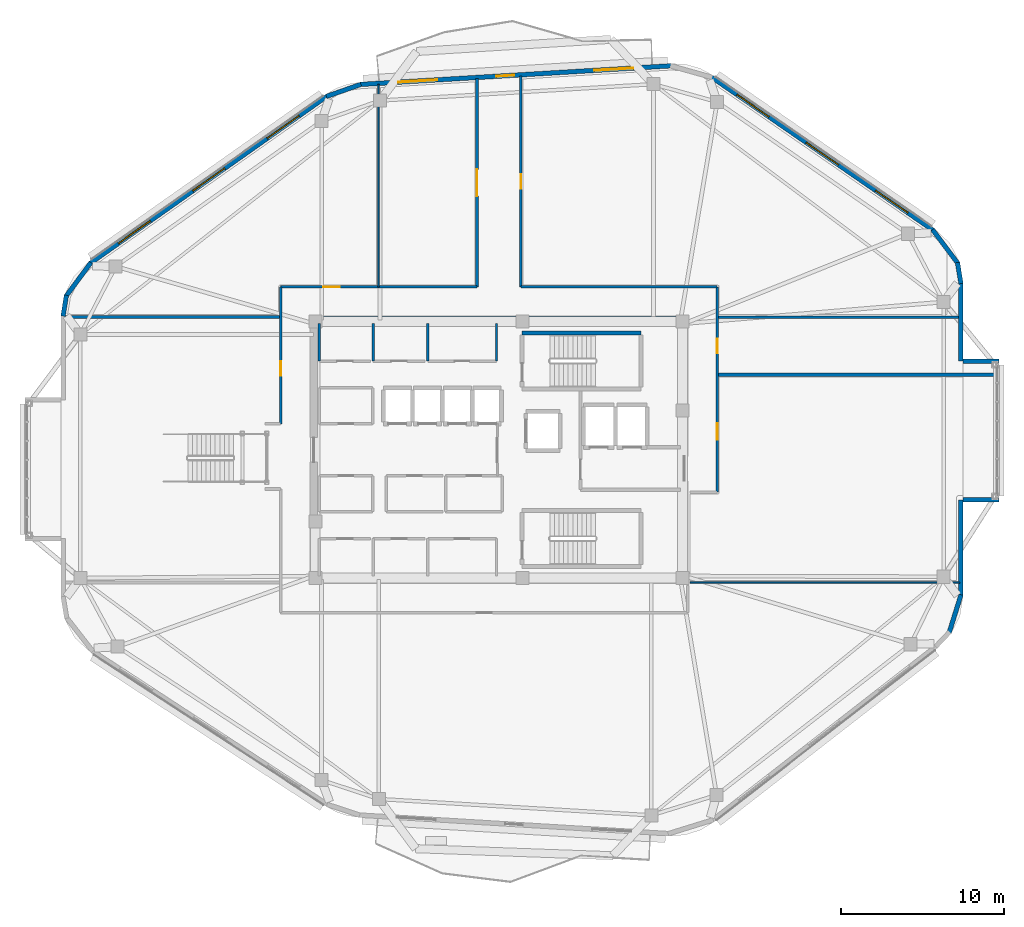
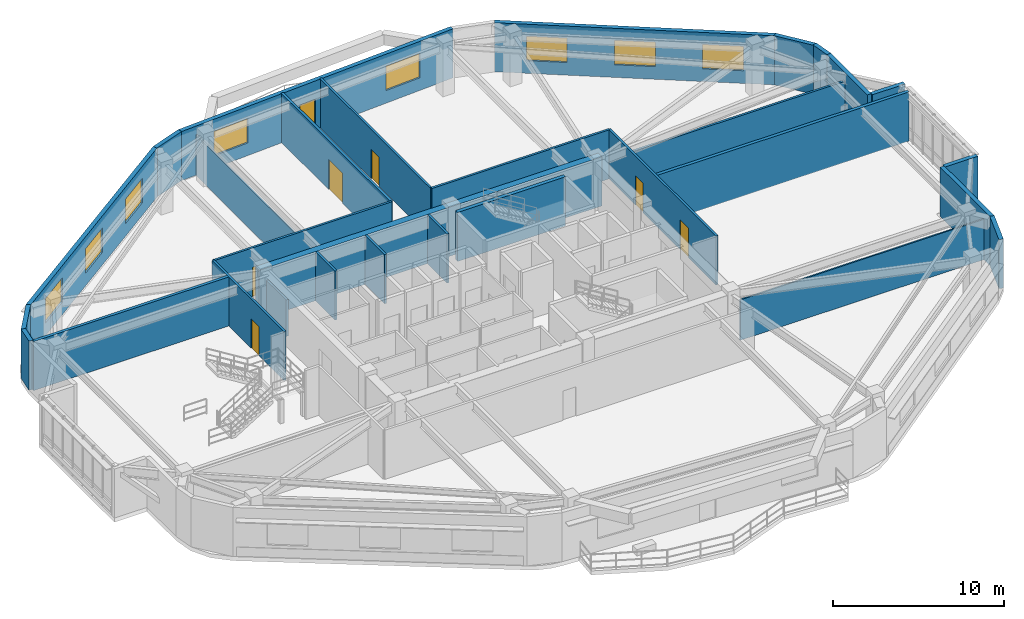
# One storey, part 14 of 18: 30 walls, 8 windows, 7 doors, 15 openings.
"""IFC4 building model written with IfcOpenShell, lengths in metres."""

from ifc_helpers import new_model, si_unit, direction, frame, frame_2d, origin, place, context, subcontext, project, spatial, rectangle, extrude, material, layer, layer_set, type_object, element, fill, save


model = new_model("IFC4")

# Units and contexts
model_context = context("Model", 3, precision=1e-05, world=origin(), true_north=direction((0.0, 1.0)))
body_context = subcontext(model_context, "Body", "Model", "MODEL_VIEW")
ifc_project = project(units=[si_unit("LENGTHUNIT", "METRE"), si_unit("AREAUNIT", "SQUARE_METRE"), si_unit("VOLUMEUNIT", "CUBIC_METRE"), si_unit("PLANEANGLEUNIT", "RADIAN"), si_unit("MASSUNIT", "GRAM", prefix="KILO")], contexts=[model_context])

# Site, building, storey
site_placement = place(None, origin())
site = spatial("IfcSite", under=ifc_project, at=site_placement, CompositionType="ELEMENT")
building_placement = place(site_placement, origin())
building = spatial("IfcBuilding", under=site, at=building_placement, Name="Zulverin Broadcast Headquarters", CompositionType="ELEMENT")
storey_placement = place(building_placement, frame((0.0, 0.0, 225.0)))
storey = spatial("IfcBuildingStorey", under=building, at=storey_placement, Name="L57", CompositionType="ELEMENT", Elevation=225.0)

# Walls
ifc_material_1 = material(Name="Acoustic drywall steel stud", Category="steel")
ifc_layer_1 = layer(ifc_material_1, 0.199951171875, Name="Acoustic drywall steel stud", Category="steel")
ifc_layer_set_1 = layer_set([ifc_layer_1], Name="Acoustic drywall steel stud")
wall_type_1 = type_object("IfcWallType", Name="WL-ACOU-200", PredefinedType="PARTITIONING", material=ifc_layer_set_1)
wall_1_placement = place(storey_placement, frame((10.304931640625, 33.35009765625, 0.0), z_axis=(0.0, 0.0, 1.0), x_axis=(1.0, 0.0, 0.0)))
element("IfcWall", 1, at=wall_1_placement, inside=storey, type_object=wall_type_1, Name="L57 Room Partition Wall RP-15", PredefinedType="PARTITIONING", context=body_context, shape_type="SweptSolid", body=[
    extrude(rectangle(XDim=13.295166015625, YDim=0.199951171875, at=frame_2d((6.6474609375, 0.0))), origin(), (0.0, 0.0, 1.0), 3.510009765625),
])
ifc_material_2 = material(Name="Double-stud acoustic drywall", Category="gypsum")
ifc_layer_2 = layer(ifc_material_2, 0.219970703125, Name="Double-stud acoustic drywall", Category="gypsum")
ifc_layer_set_2 = layer_set([ifc_layer_2], Name="Double-stud acoustic drywall")
wall_type_2 = type_object("IfcWallType", Name="WL-ACOU-220", PredefinedType="PARTITIONING", material=ifc_layer_set_2)
wall_2_placement = place(storey_placement, frame((50.39990234375, 29.800048828125, 0.0), z_axis=(0.0, 0.0, 1.0), x_axis=(1.0, 0.0, 0.0)))
element("IfcWall", 2, at=wall_2_placement, inside=storey, type_object=wall_type_2, Name="L57 Room Partition Wall RP-14", PredefinedType="PARTITIONING", context=body_context, shape_type="SweptSolid", body=[
    extrude(rectangle(XDim=17.09521484375, YDim=0.219970703125, at=frame_2d((8.547607421875, 0.0))), origin(), (0.0, 0.0, 1.0), 3.510009765625),
])
ifc_material_3 = material(Name="Concrete C50/60", Category="concrete")
ifc_layer_3 = layer(ifc_material_3, 0.449951171875, Name="Concrete C50/60", Category="concrete")
ifc_layer_set_3 = layer_set([ifc_layer_3], Name="Concrete C50/60")
wall_type_3 = type_object("IfcWallType", Name="WL-CORE-450", PredefinedType="SHEAR", material=ifc_layer_set_3)
wall_3_placement = place(storey_placement, frame((25.39990234375, 33.175048828125, 0.0), z_axis=(0.0, 0.0, 1.0), x_axis=(1.0, 0.0, 0.0)))
element("IfcWall", 3, at=wall_3_placement, inside=storey, type_object=wall_type_3, Name="L57 Core North Shear Wall", PredefinedType="SHEAR", context=body_context, shape_type="SweptSolid", body=[
    extrude(rectangle(XDim=23.2001953125, YDim=0.449951171875, at=frame_2d((11.60009765625, 0.0))), origin(), (0.0, 0.0, 1.0), 3.510009765625),
])
ifc_material_4 = material(Name="Insulated pale-metal clad concrete spandrel C40/50", Category="concrete")
ifc_layer_4 = layer(ifc_material_4, 0.280029296875, Name="Insulated pale-metal clad concrete spandrel C40/50", Category="concrete")
ifc_layer_set_4 = layer_set([ifc_layer_4], Name="Insulated pale-metal clad concrete spandrel C40/50")
wall_type_4 = type_object("IfcWallType", Name="WL-EXT-280", PredefinedType="STANDARD", material=ifc_layer_set_4)
wall_4_placement = place(storey_placement, frame((65.360107421875, 16.2578125, 0.0), z_axis=(0.0, 0.0, 1.0), x_axis=(0.0, 1.0, 0.0)))
element("IfcWall", 4, at=wall_4_placement, inside=storey, type_object=wall_type_4, Name="L57 Pale-Metal Clad Flanking Spandrel Wall 3-1", PredefinedType="STANDARD", context=body_context, shape_type="SweptSolid", body=[
    extrude(rectangle(XDim=5.8720703125, YDim=0.280029296875, at=frame_2d((2.93603515625, 0.0))), origin(), (0.0, 0.0, 1.0), 3.510009765625),
])
wall_5_placement = place(storey_placement, frame((65.360107421875, 30.64990234375, 0.0), z_axis=(0.0, 0.0, 1.0), x_axis=(0.0, 1.0, 0.0)))
element("IfcWall", 5, at=wall_5_placement, inside=storey, type_object=wall_type_4, Name="L57 Pale-Metal Clad Flanking Spandrel Wall 3-2", PredefinedType="STANDARD", context=body_context, shape_type="SweptSolid", body=[
    extrude(rectangle(XDim=4.77587890625, YDim=0.280029296875, at=frame_2d((2.387939453125, 0.0))), origin(), (0.0, 0.0, 1.0), 3.510009765625),
])

# Wall, openings, windows
wall_6_placement = place(storey_placement, frame((63.6513671875, 38.683349609375, 0.0), z_axis=(0.0, 0.0, 1.0), x_axis=(-0.822655095, 0.568540759022, 0.0)))
wall_6 = element("IfcWall", 6, at=wall_6_placement, inside=storey, type_object=wall_type_4, Name="L57 Pale-Metal Clad Spandrel Wall 4", PredefinedType="STANDARD", context=body_context, shape_type="SweptSolid", body=[
    extrude(rectangle(XDim=16.52783203125, YDim=0.280029296875, at=frame_2d((8.263916015625, 0.0))), origin(), (0.0, 0.0, 1.0), 3.510009765625),
])
opening_1_placement = place(wall_6_placement, frame((1.887939453125, 0.0, 0.89990234375)))
opening_1 = element("IfcOpeningElement", 7, at=opening_1_placement, cuts=wall_6, Name="Opening W-L57-E41", PredefinedType="OPENING", context=body_context, shape_type="SweptSolid", body=[
    extrude(rectangle(XDim=2.39990234375, YDim=1.75, at=frame_2d((1.199951171875, 0.875))), frame((0.0, 0.14990234375, 0.0), z_axis=(0.0, -1.0, 0.0), x_axis=(1.0, 0.0, 0.0)), (0.0, 0.0, 1.0), 0.300048828125),
])
opening_2_placement = place(wall_6_placement, frame((7.06396484375, 0.0, 0.89990234375)))
opening_2 = element("IfcOpeningElement", 8, at=opening_2_placement, cuts=wall_6, Name="Opening W-L57-E42", PredefinedType="OPENING", context=body_context, shape_type="SweptSolid", body=[
    extrude(rectangle(XDim=2.39990234375, YDim=1.75, at=frame_2d((1.199951171875, 0.875))), frame((0.0, 0.14990234375, 0.0), z_axis=(0.0, -1.0, 0.0), x_axis=(1.0, 0.0, 0.0)), (0.0, 0.0, 1.0), 0.300048828125),
])
opening_3_placement = place(wall_6_placement, frame((12.239990234375, 0.0, 0.89990234375)))
opening_3 = element("IfcOpeningElement", 9, at=opening_3_placement, cuts=wall_6, Name="Opening W-L57-E43", PredefinedType="OPENING", context=body_context, shape_type="SweptSolid", body=[
    extrude(rectangle(XDim=2.39990234375, YDim=1.75, at=frame_2d((1.199951171875, 0.875))), frame((0.0, 0.14990234375, 0.0), z_axis=(0.0, -1.0, 0.0), x_axis=(1.0, 0.0, 0.0)), (0.0, 0.0, 1.0), 0.300048828125),
])
ifc_material_5 = material(Name="Pale anodized aluminium frame with solar-control low-E double glazing", Category="aluminium")
window_type = type_object("IfcWindowType", Name="WIN-RIB-2400", PartitioningType="SINGLE_PANEL", PredefinedType="WINDOW", material=ifc_material_5)
window_1_placement = place(opening_1_placement, origin())
window_1 = element("IfcWindow", 10, at=window_1_placement, inside=storey, type_object=window_type, Name="L57 Ribbon Glazing Window 4 1", OverallHeight=1.75, OverallWidth=2.39990234375, PartitioningType="SINGLE_PANEL", PredefinedType="WINDOW", context=body_context, shape_type="SweptSolid", body=[
    extrude(rectangle(XDim=2.39990234375, YDim=1.75, at=frame_2d((1.199951171875, 0.875))), frame((0.0, 0.030029296875, 0.0), z_axis=(0.0, -1.0, 0.0), x_axis=(1.0, 0.0, 0.0)), (0.0, 0.0, 1.0), 0.06005859375),
])
fill(opening_1, window_1)
window_2_placement = place(opening_2_placement, origin())
window_2 = element("IfcWindow", 11, at=window_2_placement, inside=storey, type_object=window_type, Name="L57 Ribbon Glazing Window 4 2", OverallHeight=1.75, OverallWidth=2.39990234375, PartitioningType="SINGLE_PANEL", PredefinedType="WINDOW", context=body_context, shape_type="SweptSolid", body=[
    extrude(rectangle(XDim=2.39990234375, YDim=1.75, at=frame_2d((1.199951171875, 0.875))), frame((0.0, 0.030029296875, 0.0), z_axis=(0.0, -1.0, 0.0), x_axis=(1.0, 0.0, 0.0)), (0.0, 0.0, 1.0), 0.06005859375),
])
fill(opening_2, window_2)
window_3_placement = place(opening_3_placement, origin())
window_3 = element("IfcWindow", 12, at=window_3_placement, inside=storey, type_object=window_type, Name="L57 Ribbon Glazing Window 4 3", OverallHeight=1.75, OverallWidth=2.39990234375, PartitioningType="SINGLE_PANEL", PredefinedType="WINDOW", context=body_context, shape_type="SweptSolid", body=[
    extrude(rectangle(XDim=2.39990234375, YDim=1.75, at=frame_2d((1.199951171875, 0.875))), frame((0.0, 0.030029296875, 0.0), z_axis=(0.0, -1.0, 0.0), x_axis=(1.0, 0.0, 0.0)), (0.0, 0.0, 1.0), 0.06005859375),
])
fill(opening_3, window_3)

# Wall, openings, door, windows
wall_7_placement = place(storey_placement, frame((47.56591796875, 48.775390625, 0.0), z_axis=(0.0, 0.0, 1.0), x_axis=(-0.998202767485, -0.059926913695, 0.0)))
wall_7 = element("IfcWall", 13, at=wall_7_placement, inside=storey, type_object=wall_type_4, Name="L57 Pale-Metal Clad Spandrel Wall 5", PredefinedType="STANDARD", context=body_context, shape_type="SweptSolid", body=[
    extrude(rectangle(XDim=19.111083984375, YDim=0.280029296875, at=frame_2d((9.5556640625, 0.0))), origin(), (0.0, 0.0, 1.0), 3.510009765625),
])
opening_4_placement = place(wall_7_placement, frame((9.655517578125, 0.0, 0.0)))
opening_4 = element("IfcOpeningElement", 14, at=opening_4_placement, cuts=wall_7, Name="Opening D-L57-TR5", PredefinedType="OPENING", context=body_context, shape_type="SweptSolid", body=[
    extrude(rectangle(XDim=1.10009765625, YDim=2.199951171875, at=frame_2d((0.550048828125, 1.10009765625))), frame((0.0, 0.14990234375, 0.0), z_axis=(0.0, -1.0, 0.0), x_axis=(1.0, 0.0, 0.0)), (0.0, 0.0, 1.0), 0.300048828125),
])
opening_5_placement = place(wall_7_placement, frame((2.318603515625, 0.0, 0.89990234375)))
opening_5 = element("IfcOpeningElement", 15, at=opening_5_placement, cuts=wall_7, Name="Opening W-L57-E51", PredefinedType="OPENING", context=body_context, shape_type="SweptSolid", body=[
    extrude(rectangle(XDim=2.39990234375, YDim=1.75, at=frame_2d((1.199951171875, 0.875))), frame((0.0, 0.14990234375, 0.0), z_axis=(0.0, -1.0, 0.0), x_axis=(1.0, 0.0, 0.0)), (0.0, 0.0, 1.0), 0.300048828125),
])
opening_6_placement = place(wall_7_placement, frame((14.392333984375, 0.0, 0.89990234375)))
opening_6 = element("IfcOpeningElement", 16, at=opening_6_placement, cuts=wall_7, Name="Opening W-L57-E52", PredefinedType="OPENING", context=body_context, shape_type="SweptSolid", body=[
    extrude(rectangle(XDim=2.39990234375, YDim=1.75, at=frame_2d((1.199951171875, 0.875))), frame((0.0, 0.14990234375, 0.0), z_axis=(0.0, -1.0, 0.0), x_axis=(1.0, 0.0, 0.0)), (0.0, 0.0, 1.0), 0.300048828125),
])
ifc_material_6 = material(Name="Thermally broken aluminium glazed", Category="aluminium")
door_type_1 = type_object("IfcDoorType", Name="DR-TERR-1100", OperationType="SINGLE_SWING_RIGHT", PredefinedType="DOOR", material=ifc_material_6)
door_1_placement = place(opening_4_placement, origin())
door_1 = element("IfcDoor", 17, at=door_1_placement, inside=storey, type_object=door_type_1, Name="L57 Planted Terrace Glazed Access Door 5", OperationType="SINGLE_SWING_RIGHT", OverallHeight=2.199951171875, OverallWidth=1.10009765625, PredefinedType="DOOR", context=body_context, shape_type="SweptSolid", body=[
    extrude(rectangle(XDim=1.10009765625, YDim=2.199951171875, at=frame_2d((0.550048828125, 1.10009765625))), frame((0.0, 0.02490234375, 0.0), z_axis=(0.0, -1.0, 0.0), x_axis=(1.0, 0.0, 0.0)), (0.0, 0.0, 1.0), 0.050048828125),
])
fill(opening_4, door_1)
window_4_placement = place(opening_5_placement, origin())
window_4 = element("IfcWindow", 18, at=window_4_placement, inside=storey, type_object=window_type, Name="L57 Ribbon Glazing Window 5 1", OverallHeight=1.75, OverallWidth=2.39990234375, PartitioningType="SINGLE_PANEL", PredefinedType="WINDOW", context=body_context, shape_type="SweptSolid", body=[
    extrude(rectangle(XDim=2.39990234375, YDim=1.75, at=frame_2d((1.199951171875, 0.875))), frame((0.0, 0.030029296875, 0.0), z_axis=(0.0, -1.0, 0.0), x_axis=(1.0, 0.0, 0.0)), (0.0, 0.0, 1.0), 0.06005859375),
])
fill(opening_5, window_4)
window_5_placement = place(opening_6_placement, origin())
window_5 = element("IfcWindow", 19, at=window_5_placement, inside=storey, type_object=window_type, Name="L57 Ribbon Glazing Window 5 2", OverallHeight=1.75, OverallWidth=2.39990234375, PartitioningType="SINGLE_PANEL", PredefinedType="WINDOW", context=body_context, shape_type="SweptSolid", body=[
    extrude(rectangle(XDim=2.39990234375, YDim=1.75, at=frame_2d((1.199951171875, 0.875))), frame((0.0, 0.030029296875, 0.0), z_axis=(0.0, -1.0, 0.0), x_axis=(1.0, 0.0, 0.0)), (0.0, 0.0, 1.0), 0.06005859375),
])
fill(opening_6, window_5)

# Wall, openings, windows
wall_8_placement = place(storey_placement, frame((26.443115234375, 46.91259765625, 0.0), z_axis=(0.0, 0.0, 1.0), x_axis=(-0.817024179766, -0.576603407619, 0.0)))
wall_8 = element("IfcWall", 20, at=wall_8_placement, inside=storey, type_object=wall_type_4, Name="L57 Pale-Metal Clad Spandrel Wall 6", PredefinedType="STANDARD", context=body_context, shape_type="SweptSolid", body=[
    extrude(rectangle(XDim=17.77978515625, YDim=0.280029296875, at=frame_2d((8.889892578125, 0.0))), origin(), (0.0, 0.0, 1.0), 3.510009765625),
])
opening_7_placement = place(wall_8_placement, frame((2.0966796875, 0.0, 0.89990234375)))
opening_7 = element("IfcOpeningElement", 21, at=opening_7_placement, cuts=wall_8, Name="Opening W-L57-E61", PredefinedType="OPENING", context=body_context, shape_type="SweptSolid", body=[
    extrude(rectangle(XDim=2.39990234375, YDim=1.75, at=frame_2d((1.199951171875, 0.875))), frame((0.0, 0.14990234375, 0.0), z_axis=(0.0, -1.0, 0.0), x_axis=(1.0, 0.0, 0.0)), (0.0, 0.0, 1.0), 0.300048828125),
])
opening_8_placement = place(wall_8_placement, frame((7.68994140625, 0.0, 0.89990234375)))
opening_8 = element("IfcOpeningElement", 22, at=opening_8_placement, cuts=wall_8, Name="Opening W-L57-E62", PredefinedType="OPENING", context=body_context, shape_type="SweptSolid", body=[
    extrude(rectangle(XDim=2.39990234375, YDim=1.75, at=frame_2d((1.199951171875, 0.875))), frame((0.0, 0.14990234375, 0.0), z_axis=(0.0, -1.0, 0.0), x_axis=(1.0, 0.0, 0.0)), (0.0, 0.0, 1.0), 0.300048828125),
])
opening_9_placement = place(wall_8_placement, frame((13.283203125, 0.0, 0.89990234375)))
opening_9 = element("IfcOpeningElement", 23, at=opening_9_placement, cuts=wall_8, Name="Opening W-L57-E63", PredefinedType="OPENING", context=body_context, shape_type="SweptSolid", body=[
    extrude(rectangle(XDim=2.39990234375, YDim=1.75, at=frame_2d((1.199951171875, 0.875))), frame((0.0, 0.14990234375, 0.0), z_axis=(0.0, -1.0, 0.0), x_axis=(1.0, 0.0, 0.0)), (0.0, 0.0, 1.0), 0.300048828125),
])
window_6_placement = place(opening_7_placement, origin())
window_6 = element("IfcWindow", 24, at=window_6_placement, inside=storey, type_object=window_type, Name="L57 Ribbon Glazing Window 6 1", OverallHeight=1.75, OverallWidth=2.39990234375, PartitioningType="SINGLE_PANEL", PredefinedType="WINDOW", context=body_context, shape_type="SweptSolid", body=[
    extrude(rectangle(XDim=2.39990234375, YDim=1.75, at=frame_2d((1.199951171875, 0.875))), frame((0.0, 0.030029296875, 0.0), z_axis=(0.0, -1.0, 0.0), x_axis=(1.0, 0.0, 0.0)), (0.0, 0.0, 1.0), 0.06005859375),
])
fill(opening_7, window_6)
window_7_placement = place(opening_8_placement, origin())
window_7 = element("IfcWindow", 25, at=window_7_placement, inside=storey, type_object=window_type, Name="L57 Ribbon Glazing Window 6 2", OverallHeight=1.75, OverallWidth=2.39990234375, PartitioningType="SINGLE_PANEL", PredefinedType="WINDOW", context=body_context, shape_type="SweptSolid", body=[
    extrude(rectangle(XDim=2.39990234375, YDim=1.75, at=frame_2d((1.199951171875, 0.875))), frame((0.0, 0.030029296875, 0.0), z_axis=(0.0, -1.0, 0.0), x_axis=(1.0, 0.0, 0.0)), (0.0, 0.0, 1.0), 0.06005859375),
])
fill(opening_8, window_7)
window_8_placement = place(opening_9_placement, origin())
window_8 = element("IfcWindow", 26, at=window_8_placement, inside=storey, type_object=window_type, Name="L57 Ribbon Glazing Window 6 3", OverallHeight=1.75, OverallWidth=2.39990234375, PartitioningType="SINGLE_PANEL", PredefinedType="WINDOW", context=body_context, shape_type="SweptSolid", body=[
    extrude(rectangle(XDim=2.39990234375, YDim=1.75, at=frame_2d((1.199951171875, 0.875))), frame((0.0, 0.030029296875, 0.0), z_axis=(0.0, -1.0, 0.0), x_axis=(1.0, 0.0, 0.0)), (0.0, 0.0, 1.0), 0.06005859375),
])
fill(opening_9, window_8)

# Walls
wall_9_placement = place(storey_placement, frame((64.635009765625, 13.962158203125, 0.0), z_axis=(0.0, 0.0, 1.0), x_axis=(0.298649578722, 0.954362839348, 0.0)))
element("IfcWall", 27, at=wall_9_placement, inside=storey, type_object=wall_type_4, Name="L57 Wind-Shaped Corner Spandrel Wall 2-2", PredefinedType="STANDARD", context=body_context, shape_type="SweptSolid", body=[
    extrude(rectangle(XDim=2.44921875, YDim=0.280029296875, at=frame_2d((1.224609375, 0.0))), origin(), (0.0, 0.0, 1.0), 3.510009765625),
])
wall_10_placement = place(storey_placement, frame((65.36181640625, 35.4033203125, 0.0), z_axis=(0.0, 0.0, 1.0), x_axis=(-0.160271674114, 0.987072940809, 0.0)))
element("IfcWall", 28, at=wall_10_placement, inside=storey, type_object=wall_type_4, Name="L57 Wind-Shaped Corner Spandrel Wall 3-1", PredefinedType="STANDARD", context=body_context, shape_type="SweptSolid", body=[
    extrude(rectangle(XDim=1.314697265625, YDim=0.280029296875, at=frame_2d((0.6572265625, 0.0))), origin(), (0.0, 0.0, 1.0), 3.510009765625),
])
wall_11_placement = place(storey_placement, frame((65.17724609375, 36.63916015625, 0.0), z_axis=(0.0, 0.0, 1.0), x_axis=(-0.600436386467, 0.799672524104, 0.0)))
element("IfcWall", 29, at=wall_11_placement, inside=storey, type_object=wall_type_4, Name="L57 Wind-Shaped Corner Spandrel Wall 3-2", PredefinedType="STANDARD", context=body_context, shape_type="SweptSolid", body=[
    extrude(rectangle(XDim=2.595458984375, YDim=0.280029296875, at=frame_2d((1.2978515625, 0.0))), origin(), (0.0, 0.0, 1.0), 3.510009765625),
])
wall_12_placement = place(storey_placement, frame((28.527099609375, 47.6376953125, 0.0), z_axis=(0.0, 0.0, 1.0), x_axis=(-0.943686979207, -0.330839667022, 0.0)))
element("IfcWall", 30, at=wall_12_placement, inside=storey, type_object=wall_type_4, Name="L57 Wind-Shaped Corner Spandrel Wall 5-1", PredefinedType="STANDARD", context=body_context, shape_type="SweptSolid", body=[
    extrude(rectangle(XDim=2.244873046875, YDim=0.280029296875, at=frame_2d((1.12255859375, 0.0))), origin(), (0.0, 0.0, 1.0), 3.510009765625),
])
wall_13_placement = place(storey_placement, frame((11.948486328125, 36.69189453125, 0.0), z_axis=(0.0, 0.0, 1.0), x_axis=(-0.595170751493, -0.803599263668, 0.0)))
element("IfcWall", 31, at=wall_13_placement, inside=storey, type_object=wall_type_4, Name="L57 Wind-Shaped Corner Spandrel Wall 6-1", PredefinedType="STANDARD", context=body_context, shape_type="SweptSolid", body=[
    extrude(rectangle(XDim=2.56982421875, YDim=0.280029296875, at=frame_2d((1.284912109375, 0.0))), origin(), (0.0, 0.0, 1.0), 3.510009765625),
])
wall_14_placement = place(storey_placement, frame((10.444580078125, 34.68798828125, 0.0), z_axis=(0.0, 0.0, 1.0), x_axis=(-0.158524605336, -0.987355027081, 0.0)))
element("IfcWall", 32, at=wall_14_placement, inside=storey, type_object=wall_type_4, Name="L57 Wind-Shaped Corner Spandrel Wall 6-2", PredefinedType="STANDARD", context=body_context, shape_type="SweptSolid", body=[
    extrude(rectangle(XDim=1.30126953125, YDim=0.280029296875, at=frame_2d((0.650634765625, 0.0))), origin(), (0.0, 0.0, 1.0), 3.510009765625),
])
for number, where, z_axis, x_axis, name in (
    (33, (65.5, 22.1298828125, 0.0), (0.0, 0.0, 1.0), (1.0, 0.0, 0.0), "L57 Shifted Studio Box Cheek Wall SBOX_SKY2_E-S"),
    (34, (65.5, 30.64990234375, 0.0), (0.0, 0.0, 1.0), (1.0, 0.0, 0.0), "L57 Shifted Studio Box Cheek Wall SBOX_SKY2_E-N"),
):
    element("IfcWall", number, at=place(storey_placement, frame(where, z_axis=z_axis, x_axis=x_axis)), inside=storey, type_object=wall_type_4, Name=name, PredefinedType="STANDARD", context=body_context, shape_type="SweptSolid", body=[
        extrude(rectangle(XDim=2.199951171875, YDim=0.280029296875, at=frame_2d((1.10009765625, 0.0))), origin(), (0.0, 0.0, 1.0), 3.510009765625),
    ])
ifc_material_7 = material(Name="Fire-rated acoustic laminated glass screen", Category="glass")
ifc_layer_5 = layer(ifc_material_7, 0.10009765625, Name="Fire-rated acoustic laminated glass screen", Category="glass")
ifc_layer_set_5 = layer_set([ifc_layer_5], Name="Fire-rated acoustic laminated glass screen")
wall_type_5 = type_object("IfcWallType", Name="WL-GLAZ-100", PredefinedType="PARTITIONING", material=ifc_layer_set_5)
wall_15_placement = place(storey_placement, frame((29.60009765625, 35.199951171875, 0.0), z_axis=(0.0, 0.0, 1.0), x_axis=(0.0, 1.0, 0.0)))
element("IfcWall", 35, at=wall_15_placement, inside=storey, type_object=wall_type_5, Name="L57 Room Partition Wall RP-05", PredefinedType="PARTITIONING", context=body_context, shape_type="SweptSolid", body=[
    extrude(rectangle(XDim=12.43212890625, YDim=0.10009765625, at=frame_2d((6.216064453125, 0.0))), origin(), (0.0, 0.0, 1.0), 2.892822265625),
])
wall_16_placement = place(storey_placement, frame((48.739990234375, 17.050048828125, 0.0), z_axis=(0.0, 0.0, 1.0), x_axis=(1.0, 0.0, 0.0)))
element("IfcWall", 36, at=wall_16_placement, inside=storey, type_object=wall_type_5, Name="L57 Room Partition Wall RP-10", PredefinedType="PARTITIONING", context=body_context, shape_type="SweptSolid", body=[
    extrude(rectangle(XDim=16.554931640625, YDim=0.10009765625, at=frame_2d((8.27734375, 0.0))), origin(), (0.0, 0.0, 1.0), 2.892822265625),
])
ifc_material_8 = material(Name="Fire-rated gypsum stud partition", Category="gypsum")
ifc_layer_6 = layer(ifc_material_8, 0.14990234375, Name="Fire-rated gypsum stud partition", Category="gypsum")
ifc_layer_set_6 = layer_set([ifc_layer_6], Name="Fire-rated gypsum stud partition")
wall_type_6 = type_object("IfcWallType", Name="WL-PART-150", PredefinedType="PARTITIONING", material=ifc_layer_set_6)
wall_17_placement = place(storey_placement, frame((25.969970703125, 30.64990234375, 0.0), z_axis=(0.0, 0.0, 1.0), x_axis=(0.0, 1.0, 0.0)))
element("IfcWall", 37, at=wall_17_placement, inside=storey, type_object=wall_type_6, Name="L57 Core Male WC West Wall", PredefinedType="PARTITIONING", context=body_context, shape_type="SweptSolid", body=[
    extrude(rectangle(XDim=2.300048828125, YDim=0.14990234375, at=frame_2d((1.14990234375, 0.0))), origin(), (0.0, 0.0, 1.0), 2.610107421875),
])
for number, where, z_axis, x_axis, name in (
    (38, (29.280029296875, 30.64990234375, 0.0), (0.0, 0.0, 1.0), (0.0, 1.0, 0.0), "L57 Core Accessible WC West Wall"),
    (39, (32.6298828125, 30.64990234375, 0.0), (0.0, 0.0, 1.0), (0.0, 1.0, 0.0), "L57 Core Electrical Distribution Riser West Wall"),
    (40, (36.85009765625, 30.64990234375, 0.0), (0.0, 0.0, 1.0), (0.0, 1.0, 0.0), "L57 Core Electrical Distribution Riser East Wall"),
):
    element("IfcWall", number, at=place(storey_placement, frame(where, z_axis=z_axis, x_axis=x_axis)), inside=storey, type_object=wall_type_6, Name=name, PredefinedType="PARTITIONING", context=body_context, shape_type="SweptSolid", body=[
        extrude(rectangle(XDim=2.300048828125, YDim=0.14990234375, at=frame_2d((1.14990234375, 0.0))), origin(), (0.0, 0.0, 1.0), 3.510009765625),
    ])

# Wall, openings, doors
wall_18_placement = place(storey_placement, frame((50.39990234375, 22.60009765625, 0.0), z_axis=(0.0, 0.0, 1.0), x_axis=(0.0, 1.0, 0.0)))
wall_18 = element("IfcWall", 41, at=wall_18_placement, inside=storey, type_object=wall_type_6, Name="L57 Gallery Partition Wall CG-01", PredefinedType="PARTITIONING", context=body_context, shape_type="SweptSolid", body=[
    extrude(rectangle(XDim=12.599853515625, YDim=0.14990234375, at=frame_2d((6.2998046875, 0.0))), origin(), (0.0, 0.0, 1.0), 3.510009765625),
])
opening_10_placement = place(wall_18_placement, frame((3.219970703125, 0.0, 0.0)))
opening_10 = element("IfcOpeningElement", 42, at=opening_10_placement, cuts=wall_18, Name="Opening D-L57-06", PredefinedType="OPENING", context=body_context, shape_type="SweptSolid", body=[
    extrude(rectangle(XDim=1.0, YDim=2.1201171875, at=frame_2d((0.5, 1.06005859375))), frame((0.0, 0.0849609375, 0.0), z_axis=(0.0, -1.0, 0.0), x_axis=(1.0, 0.0, 0.0)), (0.0, 0.0, 1.0), 0.169921875),
])
opening_11_placement = place(wall_18_placement, frame((8.52490234375, 0.0, 0.0)))
opening_11 = element("IfcOpeningElement", 43, at=opening_11_placement, cuts=wall_18, Name="Opening D-L57-07", PredefinedType="OPENING", context=body_context, shape_type="SweptSolid", body=[
    extrude(rectangle(XDim=0.89990234375, YDim=2.10009765625, at=frame_2d((0.449951171875, 1.050048828125))), frame((0.0, 0.0849609375, 0.0), z_axis=(0.0, -1.0, 0.0), x_axis=(1.0, 0.0, 0.0)), (0.0, 0.0, 1.0), 0.169921875),
])
ifc_material_9 = material(Name="Hardwood veneer acoustic leaf", Category="wood")
door_type_2 = type_object("IfcDoorType", Name="DR-OFF-1000", OperationType="SINGLE_SWING_LEFT", PredefinedType="DOOR", material=ifc_material_9)
door_2_placement = place(opening_10_placement, origin())
door_2 = element("IfcDoor", 44, at=door_2_placement, inside=storey, type_object=door_type_2, Name="L57 VIP Green Room Office Door", OperationType="SINGLE_SWING_LEFT", OverallHeight=2.1201171875, OverallWidth=1.0, PredefinedType="DOOR", context=body_context, shape_type="SweptSolid", body=[
    extrude(rectangle(XDim=1.0, YDim=2.1201171875, at=frame_2d((0.5, 1.06005859375))), frame((0.0, 0.02490234375, 0.0), z_axis=(0.0, -1.0, 0.0), x_axis=(1.0, 0.0, 0.0)), (0.0, 0.0, 1.0), 0.050048828125),
])
fill(opening_10, door_2)
ifc_material_10 = material(Name="Fire-rated hardwood veneer timber leaf", Category="wood")
door_type_3 = type_object("IfcDoorType", Name="DR-ROOM-900", OperationType="SINGLE_SWING_RIGHT", PredefinedType="DOOR", material=ifc_material_10)
door_3_placement = place(opening_11_placement, origin())
door_3 = element("IfcDoor", 45, at=door_3_placement, inside=storey, type_object=door_type_3, Name="L57 Executive Dining Restaurant Door", OperationType="SINGLE_SWING_RIGHT", OverallHeight=2.10009765625, OverallWidth=0.89990234375, PredefinedType="DOOR", context=body_context, shape_type="SweptSolid", body=[
    extrude(rectangle(XDim=0.89990234375, YDim=2.10009765625, at=frame_2d((0.449951171875, 1.050048828125))), frame((0.0, 0.02490234375, 0.0), z_axis=(0.0, -1.0, 0.0), x_axis=(1.0, 0.0, 0.0)), (0.0, 0.0, 1.0), 0.050048828125),
])
fill(opening_11, door_3)

# Wall, opening, door
wall_19_placement = place(storey_placement, frame((38.35009765625, 35.199951171875, 0.0), z_axis=(0.0, 0.0, 1.0), x_axis=(0.0, 1.0, 0.0)))
wall_19 = element("IfcWall", 46, at=wall_19_placement, inside=storey, type_object=wall_type_6, Name="L57 Gallery Partition Wall CG-03", PredefinedType="PARTITIONING", context=body_context, shape_type="SweptSolid", body=[
    extrude(rectangle(XDim=12.95751953125, YDim=0.14990234375, at=frame_2d((6.478759765625, 0.0))), origin(), (0.0, 0.0, 1.0), 3.510009765625),
])
opening_12_placement = place(wall_19_placement, frame((6.02880859375, 0.0, 0.0)))
opening_12 = element("IfcOpeningElement", 47, at=opening_12_placement, cuts=wall_19, Name="Opening D-L57-03", PredefinedType="OPENING", context=body_context, shape_type="SweptSolid", body=[
    extrude(rectangle(XDim=0.89990234375, YDim=2.10009765625, at=frame_2d((0.449951171875, 1.050048828125))), frame((0.0, 0.0849609375, 0.0), z_axis=(0.0, -1.0, 0.0), x_axis=(1.0, 0.0, 0.0)), (0.0, 0.0, 1.0), 0.169921875),
])
door_4_placement = place(opening_12_placement, origin())
door_4 = element("IfcDoor", 48, at=door_4_placement, inside=storey, type_object=door_type_3, Name="L57 Panoramic Hospitality Lounge Door", OperationType="SINGLE_SWING_RIGHT", OverallHeight=2.10009765625, OverallWidth=0.89990234375, PredefinedType="DOOR", context=body_context, shape_type="SweptSolid", body=[
    extrude(rectangle(XDim=0.89990234375, YDim=2.10009765625, at=frame_2d((0.449951171875, 1.050048828125))), frame((0.0, 0.02490234375, 0.0), z_axis=(0.0, -1.0, 0.0), x_axis=(1.0, 0.0, 0.0)), (0.0, 0.0, 1.0), 0.050048828125),
])
fill(opening_12, door_4)

wall_20_placement = place(storey_placement, frame((23.60009765625, 26.800048828125, 0.0), z_axis=(0.0, 0.0, 1.0), x_axis=(0.0, 1.0, 0.0)))
wall_20 = element("IfcWall", 49, at=wall_20_placement, inside=storey, type_object=wall_type_6, Name="L57 Gallery Partition Wall CG-07", PredefinedType="PARTITIONING", context=body_context, shape_type="SweptSolid", body=[
    extrude(rectangle(XDim=8.39990234375, YDim=0.14990234375, at=frame_2d((4.199951171875, 0.0))), origin(), (0.0, 0.0, 1.0), 3.510009765625),
])
opening_13_placement = place(wall_20_placement, frame((2.945068359375, 0.0, 0.0)))
opening_13 = element("IfcOpeningElement", 50, at=opening_13_placement, cuts=wall_20, Name="Opening D-L57-05", PredefinedType="OPENING", context=body_context, shape_type="SweptSolid", body=[
    extrude(rectangle(XDim=0.89990234375, YDim=2.10009765625, at=frame_2d((0.449951171875, 1.050048828125))), frame((0.0, 0.0849609375, 0.0), z_axis=(0.0, -1.0, 0.0), x_axis=(1.0, 0.0, 0.0)), (0.0, 0.0, 1.0), 0.169921875),
])
door_5_placement = place(opening_13_placement, origin())
door_5 = element("IfcDoor", 51, at=door_5_placement, inside=storey, type_object=door_type_3, Name="L57 High-Rise Sky Lobby Reception Door", OperationType="SINGLE_SWING_RIGHT", OverallHeight=2.10009765625, OverallWidth=0.89990234375, PredefinedType="DOOR", context=body_context, shape_type="SweptSolid", body=[
    extrude(rectangle(XDim=0.89990234375, YDim=2.10009765625, at=frame_2d((0.449951171875, 1.050048828125))), frame((0.0, 0.02490234375, 0.0), z_axis=(0.0, -1.0, 0.0), x_axis=(1.0, 0.0, 0.0)), (0.0, 0.0, 1.0), 0.050048828125),
])
fill(opening_13, door_5)

# Wall
wall_21_placement = place(storey_placement, frame((50.39990234375, 33.35009765625, 0.0), z_axis=(0.0, 0.0, 1.0), x_axis=(1.0, 0.0, 0.0)))
element("IfcWall", 52, at=wall_21_placement, inside=storey, type_object=wall_type_6, Name="L57 Room Partition Wall RP-16", PredefinedType="PARTITIONING", context=body_context, shape_type="SweptSolid", body=[
    extrude(rectangle(XDim=14.89501953125, YDim=0.14990234375, at=frame_2d((7.447509765625, 0.0))), origin(), (0.0, 0.0, 1.0), 2.892822265625),
])

# Wall, opening, door
wall_22_placement = place(storey_placement, frame((23.60009765625, 35.199951171875, 0.0), z_axis=(0.0, 0.0, 1.0), x_axis=(1.0, 0.0, 0.0)))
wall_22 = element("IfcWall", 53, at=wall_22_placement, inside=storey, type_object=wall_type_6, Name="L57 Gallery Partition Wall CG-17", PredefinedType="PARTITIONING", context=body_context, shape_type="SweptSolid", body=[
    extrude(rectangle(XDim=12.0498046875, YDim=0.14990234375, at=frame_2d((6.02490234375, 0.0))), origin(), (0.0, 0.0, 1.0), 3.510009765625),
])
opening_14_placement = place(wall_22_placement, frame((2.6201171875, 0.0, 0.0)))
opening_14 = element("IfcOpeningElement", 54, at=opening_14_placement, cuts=wall_22, Name="Opening D-L57-01", PredefinedType="OPENING", context=body_context, shape_type="SweptSolid", body=[
    extrude(rectangle(XDim=1.0, YDim=2.1201171875, at=frame_2d((0.5, 1.06005859375))), frame((0.0, 0.0849609375, 0.0), z_axis=(0.0, -1.0, 0.0), x_axis=(1.0, 0.0, 0.0)), (0.0, 0.0, 1.0), 0.169921875),
])
door_6_placement = place(opening_14_placement, origin())
door_6 = element("IfcDoor", 55, at=door_6_placement, inside=storey, type_object=door_type_2, Name="L57 VIP Green Room Office Door", OperationType="SINGLE_SWING_RIGHT", OverallHeight=2.1201171875, OverallWidth=1.0, PredefinedType="DOOR", context=body_context, shape_type="SweptSolid", body=[
    extrude(rectangle(XDim=1.0, YDim=2.1201171875, at=frame_2d((0.5, 1.06005859375))), frame((0.0, 0.02490234375, 0.0), z_axis=(0.0, -1.0, 0.0), x_axis=(1.0, 0.0, 0.0)), (0.0, 0.0, 1.0), 0.050048828125),
])
fill(opening_14, door_6)

# Wall
wall_23_placement = place(storey_placement, frame((38.35009765625, 35.199951171875, 0.0), z_axis=(0.0, 0.0, 1.0), x_axis=(1.0, 0.0, 0.0)))
element("IfcWall", 56, at=wall_23_placement, inside=storey, type_object=wall_type_6, Name="L57 Gallery Partition Wall CG-18", PredefinedType="PARTITIONING", context=body_context, shape_type="SweptSolid", body=[
    extrude(rectangle(XDim=12.0498046875, YDim=0.14990234375, at=frame_2d((6.02490234375, 0.0))), origin(), (0.0, 0.0, 1.0), 3.510009765625),
])

# Wall, opening, door
ifc_material_11 = material(Name="Fire-rated acoustic stud wall", Category="gypsum")
ifc_layer_7 = layer(ifc_material_11, 0.175048828125, Name="Fire-rated acoustic stud wall", Category="gypsum")
ifc_layer_set_7 = layer_set([ifc_layer_7], Name="Fire-rated acoustic stud wall")
wall_type_7 = type_object("IfcWallType", Name="WL-PART-175", PredefinedType="PARTITIONING", material=ifc_layer_set_7)
wall_24_placement = place(storey_placement, frame((35.64990234375, 35.199951171875, 0.0), z_axis=(0.0, 0.0, 1.0), x_axis=(0.0, 1.0, 0.0)))
wall_24 = element("IfcWall", 57, at=wall_24_placement, inside=storey, type_object=wall_type_7, Name="L57 Gallery Partition Wall CG-04", PredefinedType="PARTITIONING", context=body_context, shape_type="SweptSolid", body=[
    extrude(rectangle(XDim=12.79541015625, YDim=0.175048828125, at=frame_2d((6.397705078125, 0.0))), origin(), (0.0, 0.0, 1.0), 3.510009765625),
])
opening_15_placement = place(wall_24_placement, frame((5.57275390625, 0.0, 0.0)))
opening_15 = element("IfcOpeningElement", 58, at=opening_15_placement, cuts=wall_24, Name="Opening D-L57-02", PredefinedType="OPENING", context=body_context, shape_type="SweptSolid", body=[
    extrude(rectangle(XDim=1.64990234375, YDim=2.14990234375, at=frame_2d((0.824951171875, 1.074951171875))), frame((0.0, 0.097412109375, 0.0), z_axis=(0.0, -1.0, 0.0), x_axis=(1.0, 0.0, 0.0)), (0.0, 0.0, 1.0), 0.195068359375),
])
ifc_material_12 = material(Name="Fire-rated acoustic double leaf", Category="steel")
door_type_4 = type_object("IfcDoorType", Name="DR-AUD-1650", OperationType="DOUBLE_DOOR_SINGLE_SWING", PredefinedType="DOOR", material=ifc_material_12)
door_7_placement = place(opening_15_placement, origin())
door_7 = element("IfcDoor", 59, at=door_7_placement, inside=storey, type_object=door_type_4, Name="L57 Executive Dining Restaurant Door", OperationType="DOUBLE_DOOR_SINGLE_SWING", OverallHeight=2.14990234375, OverallWidth=1.64990234375, PredefinedType="DOOR", context=body_context, shape_type="SweptSolid", body=[
    extrude(rectangle(XDim=1.64990234375, YDim=2.14990234375, at=frame_2d((0.824951171875, 1.074951171875))), frame((0.0, 0.02490234375, 0.0), z_axis=(0.0, -1.0, 0.0), x_axis=(1.0, 0.0, 0.0)), (0.0, 0.0, 1.0), 0.050048828125),
])
fill(opening_15, door_7)

# Wall
ifc_layer_8 = layer(ifc_material_3, 0.25, Name="Concrete C50/60", Category="concrete")
ifc_layer_set_8 = layer_set([ifc_layer_8], Name="Concrete C50/60")
wall_type_8 = type_object("IfcWallType", Name="WL-SHAFT-250", PredefinedType="SHEAR", material=ifc_layer_set_8)
wall_25_placement = place(storey_placement, frame((38.425048828125, 32.375, 0.0), z_axis=(0.0, 0.0, 1.0), x_axis=(1.0, 0.0, 0.0)))
element("IfcWall", 60, at=wall_25_placement, inside=storey, type_object=wall_type_8, Name="L57 ST-1 Enclosure Wall N", PredefinedType="SHEAR", context=body_context, shape_type="SweptSolid", body=[
    extrude(rectangle(XDim=7.300048828125, YDim=0.25, at=frame_2d((3.64990234375, 0.0))), origin(), (0.0, 0.0, 1.0), 3.510009765625),
])

save(model, "model.ifc")
